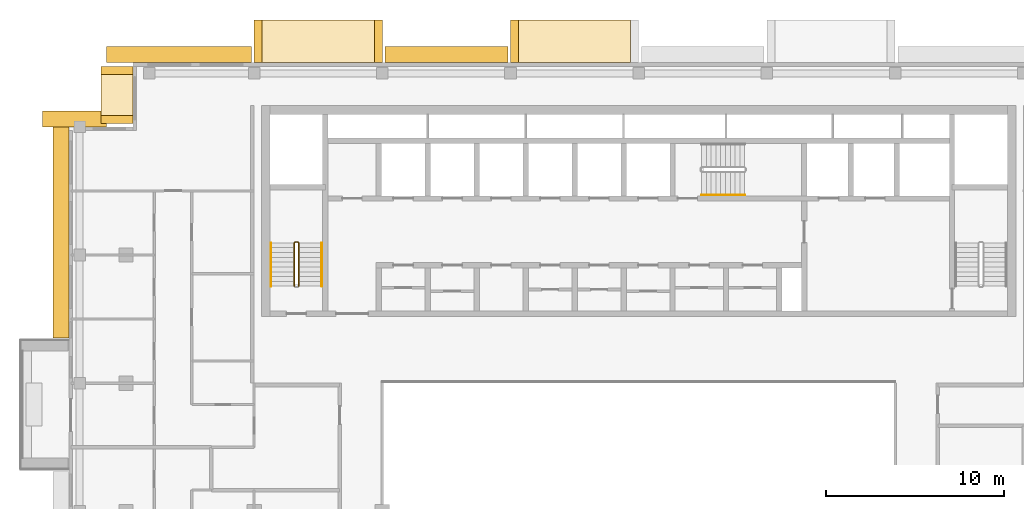
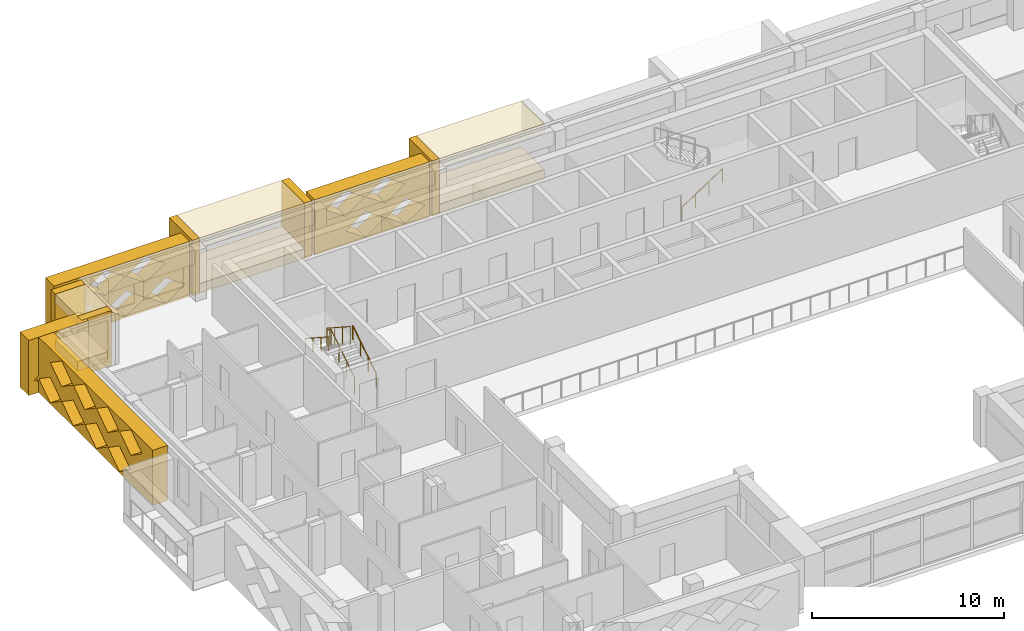
# One storey, part 17 of 19: 15 coverings, 4 railings.
"""IFC4 building model written with IfcOpenShell, lengths in metres."""

from ifc_helpers import new_model, si_unit, direction, frame, origin, origin_2d, place, context, subcontext, project, spatial, polyline, circle, outline, extrude, material, type_object, element, save


model = new_model("IFC4")

# Units and contexts
model_context = context("Model", 3, precision=1e-05, world=origin(), true_north=direction((0.0, 1.0)))
body_context = subcontext(model_context, "Body", "Model", "MODEL_VIEW")
ifc_project = project(units=[si_unit("LENGTHUNIT", "METRE"), si_unit("AREAUNIT", "SQUARE_METRE"), si_unit("VOLUMEUNIT", "CUBIC_METRE"), si_unit("PLANEANGLEUNIT", "RADIAN"), si_unit("MASSUNIT", "GRAM", prefix="KILO")], contexts=[model_context])

# Site, building, storey
site_placement = place(None, origin())
site = spatial("IfcSite", under=ifc_project, at=site_placement, CompositionType="ELEMENT")
building_placement = place(site_placement, origin())
building = spatial("IfcBuilding", under=site, at=building_placement, Name="Saffron Iwan Residences", CompositionType="ELEMENT")
storey_placement = place(building_placement, frame((0.0, 0.0, 232.5)))
storey = spatial("IfcBuildingStorey", under=building, at=storey_placement, Name="L62", CompositionType="ELEMENT", Elevation=232.5)

# Coverings
ifc_material_1 = material(Name="Precast concrete C40/50", Category="concrete")
covering_type_1 = type_object("IfcCoveringType", Name="OUTER SKIN LATTICE SCREEN", PredefinedType="CLADDING", material=ifc_material_1)
covering_1_placement = place(storey_placement, frame((43.050048828125, 80.39990234375, -0.280029296875), z_axis=(0.0, 1.0, 0.0), x_axis=(-1.0, 0.0, 0.0)))
element("IfcCovering", 1, at=covering_1_placement, inside=storey, type_object=covering_type_1, Name="OUTER SKIN lattice screen L62 F5.3", PredefinedType="CLADDING", context=body_context, shape_type="SweptSolid", body=[
    extrude(outline(polyline([(0.0, 0.0), (6.89990234375, 0.0), (6.89990234375, 3.5), (0.0, 3.5), (0.0, 0.0)]), holes=[polyline([(0.27001953125, 0.875), (1.449951171875, 0.06005859375), (2.6298828125, 0.875), (1.449951171875, 1.68994140625), (0.27001953125, 0.875)]), polyline([(2.669921875, 0.875), (3.85009765625, 0.06005859375), (5.030029296875, 0.875), (3.85009765625, 1.68994140625), (2.669921875, 0.875)]), polyline([(1.469970703125, 2.625), (2.64990234375, 1.81005859375), (3.830078125, 2.625), (2.64990234375, 3.43994140625), (1.469970703125, 2.625)]), polyline([(3.8701171875, 2.625), (5.050048828125, 1.81005859375), (6.22998046875, 2.625), (5.050048828125, 3.43994140625), (3.8701171875, 2.625)])]), origin(), (0.0, 0.0, 1.0), 0.900146484375),
])
covering_2_placement = place(storey_placement, frame((28.64990234375, 80.39990234375, -0.280029296875), z_axis=(0.0, 1.0, 0.0), x_axis=(-1.0, 0.0, 0.0)))
element("IfcCovering", 2, at=covering_2_placement, inside=storey, type_object=covering_type_1, Name="OUTER SKIN lattice screen L62 F5.4", PredefinedType="CLADDING", context=body_context, shape_type="SweptSolid", body=[
    extrude(outline(polyline([(0.0, 0.0), (8.14990234375, 0.0), (8.14990234375, 3.5), (0.0, 3.5), (0.0, 0.0)]), holes=[polyline([(0.27001953125, 0.875), (1.449951171875, 0.06005859375), (2.6298828125, 0.875), (1.449951171875, 1.68994140625), (0.27001953125, 0.875)]), polyline([(2.669921875, 0.875), (3.85009765625, 0.06005859375), (5.030029296875, 0.875), (3.85009765625, 1.68994140625), (2.669921875, 0.875)]), polyline([(5.070068359375, 0.875), (6.25, 0.06005859375), (7.429931640625, 0.875), (6.25, 1.68994140625), (5.070068359375, 0.875)]), polyline([(1.469970703125, 2.625), (2.64990234375, 1.81005859375), (3.830078125, 2.625), (2.64990234375, 3.43994140625), (1.469970703125, 2.625)]), polyline([(3.8701171875, 2.625), (5.050048828125, 1.81005859375), (6.22998046875, 2.625), (5.050048828125, 3.43994140625), (3.8701171875, 2.625)])]), origin(), (0.0, 0.0, 1.0), 0.900146484375),
])
covering_3_placement = place(storey_placement, frame((20.5, 76.800048828125, -0.280029296875), z_axis=(0.0, 1.0, 0.0), x_axis=(-1.0, 0.0, 0.0)))
element("IfcCovering", 3, at=covering_3_placement, inside=storey, type_object=covering_type_1, Name="OUTER SKIN lattice screen L62 F7.0", PredefinedType="CLADDING", context=body_context, shape_type="SweptSolid", body=[
    extrude(outline(polyline([(0.0, 0.0), (3.60009765625, 0.0), (3.60009765625, 3.5), (0.0, 3.5), (0.0, 0.0)]), holes=[polyline([(0.919921875, 0.875), (2.10009765625, 0.06005859375), (3.280029296875, 0.875), (2.10009765625, 1.68994140625), (0.919921875, 0.875)])]), origin(), (0.0, 0.0, 1.0), 0.89990234375),
])
covering_4_placement = place(storey_placement, frame((18.39990234375, 77.699951171875, -0.280029296875), z_axis=(-1.0, 0.0, 0.0), x_axis=(0.0, -1.0, 0.0)))
element("IfcCovering", 4, at=covering_4_placement, inside=storey, type_object=covering_type_1, Name="OUTER SKIN lattice screen L62 F8.0", PredefinedType="CLADDING", context=body_context, shape_type="SweptSolid", body=[
    extrude(outline(polyline([(0.0, 0.0), (12.75, 0.0), (12.75, 3.5), (0.0, 3.5), (0.0, 0.0)]), holes=[polyline([(0.919921875, 0.875), (2.10009765625, 0.06005859375), (3.280029296875, 0.875), (2.10009765625, 1.68994140625), (0.919921875, 0.875)]), polyline([(3.320068359375, 0.875), (4.5, 0.06005859375), (5.679931640625, 0.875), (4.5, 1.68994140625), (3.320068359375, 0.875)]), polyline([(5.719970703125, 0.875), (6.89990234375, 0.06005859375), (8.080078125, 0.875), (6.89990234375, 1.68994140625), (5.719970703125, 0.875)]), polyline([(8.1201171875, 0.875), (9.300048828125, 0.06005859375), (10.47998046875, 0.875), (9.300048828125, 1.68994140625), (8.1201171875, 0.875)]), polyline([(2.1201171875, 2.625), (3.300048828125, 1.81005859375), (4.47998046875, 2.625), (3.300048828125, 3.43994140625), (2.1201171875, 2.625)]), polyline([(4.52001953125, 2.625), (5.699951171875, 1.81005859375), (6.8798828125, 2.625), (5.699951171875, 3.43994140625), (4.52001953125, 2.625)]), polyline([(6.919921875, 2.625), (8.10009765625, 1.81005859375), (9.280029296875, 2.625), (8.10009765625, 3.43994140625), (6.919921875, 2.625)]), polyline([(9.320068359375, 2.625), (10.5, 1.81005859375), (11.679931640625, 2.625), (10.5, 3.43994140625), (9.320068359375, 2.625)])]), origin(), (0.0, 0.0, 1.0), 0.89990234375),
])

# Railings
ifc_material_2 = material(Name="Steel S355", Category="steel")
railing_type_1 = type_object("IfcRailingType", Name="Stair guard 1100", PredefinedType="GUARDRAIL", material=ifc_material_2)
railing_1_placement = place(storey_placement, frame((31.300048828125, 67.85009765625, 0.175048828125)))
element("IfcRailing", 5, at=railing_1_placement, inside=storey, type_object=railing_type_1, Name="L62 ST-W stair guard 1", PredefinedType="GUARDRAIL", context=body_context, shape_type="SweptSolid", body=[
    extrude(circle(Radius=0.02392578125, at=origin_2d()), frame((0.0, 0.0, 1.076171875), z_axis=(0.0, 0.839153699163, 0.543894354798), x_axis=(-1.0, 0.0, 0.0)), (0.0, 0.0, 1.0), 2.895751953125),
    extrude(circle(Radius=0.02392578125, at=origin_2d()), frame((0.0, 2.429931640625, 2.65087890625), z_axis=(-0.707106781187, 0.707106781187, 0.0), x_axis=(-0.707106781187, -0.707106781187, 0.0)), (0.0, 0.0, 1.0), 0.07080078125),
    extrude(circle(Radius=0.02392578125, at=origin_2d()), frame((-0.050048828125, 2.47998046875, 2.65087890625), z_axis=(-1.0, 0.0, 0.0), x_axis=(0.0, -1.0, 0.0)), (0.0, 0.0, 1.0), 0.14990234375),
    extrude(circle(Radius=0.02392578125, at=origin_2d()), frame((-0.199951171875, 2.47998046875, 2.65087890625), z_axis=(-0.265065253269, -0.265065253269, 0.927081885822), x_axis=(0.707106781187, -0.707106781187, 0.0)), (0.0, 0.0, 1.0), 0.188720703125),
    extrude(circle(Radius=0.02392578125, at=origin_2d()), frame((-0.25, 2.429931640625, 2.826171875), z_axis=(0.0, -0.839153699163, 0.543894354798), x_axis=(1.0, 0.0, 0.0)), (0.0, 0.0, 1.0), 2.895751953125),
    extrude(circle(Radius=0.02099609375, at=origin_2d()), origin(), (0.0, 0.0, 1.0), 1.052001953125),
    extrude(circle(Radius=0.02099609375, at=origin_2d()), frame((0.0, 0.81005859375, 0.52490234375)), (0.0, 0.0, 1.0), 1.052001953125),
    extrude(circle(Radius=0.02099609375, at=origin_2d()), frame((0.0, 1.619873046875, 1.050048828125)), (0.0, 0.0, 1.0), 1.052001953125),
    extrude(circle(Radius=0.02099609375, at=origin_2d()), frame((0.0, 2.429931640625, 1.574951171875)), (0.0, 0.0, 1.0), 1.052001953125),
    extrude(circle(Radius=0.02099609375, at=origin_2d()), frame((-0.050048828125, 2.47998046875, 1.574951171875)), (0.0, 0.0, 1.0), 1.052001953125),
    extrude(circle(Radius=0.02099609375, at=origin_2d()), frame((-0.199951171875, 2.47998046875, 1.574951171875)), (0.0, 0.0, 1.0), 1.052001953125),
    extrude(circle(Radius=0.02099609375, at=origin_2d()), frame((-0.25, 2.429931640625, 1.75)), (0.0, 0.0, 1.0), 1.052001953125),
    extrude(circle(Radius=0.02099609375, at=origin_2d()), frame((-0.25, 1.619873046875, 2.27490234375)), (0.0, 0.0, 1.0), 1.052001953125),
    extrude(circle(Radius=0.02099609375, at=origin_2d()), frame((-0.25, 0.81005859375, 2.800048828125)), (0.0, 0.0, 1.0), 1.052001953125),
    extrude(circle(Radius=0.02099609375, at=origin_2d()), frame((-0.25, 0.0, 3.324951171875)), (0.0, 0.0, 1.0), 1.052001953125),
])
ifc_material_3 = material(Name="Stainless steel 316", Category="steel")
railing_type_2 = type_object("IfcRailingType", Name="Stair handrail 900", PredefinedType="HANDRAIL", material=ifc_material_3)
railing_2_placement = place(storey_placement, frame((32.60009765625, 67.85009765625, 0.175048828125)))
element("IfcRailing", 6, at=railing_2_placement, inside=storey, type_object=railing_type_2, Name="L62 ST-W stair handrail 1", PredefinedType="HANDRAIL", context=body_context, shape_type="SweptSolid", body=[
    extrude(circle(Radius=0.02392578125, at=origin_2d()), frame((0.0, 0.0, 0.8759765625), z_axis=(0.0, 0.839153699163, 0.543894354798), x_axis=(-1.0, 0.0, 0.0)), (0.0, 0.0, 1.0), 2.895751953125),
    extrude(circle(Radius=0.02099609375, at=origin_2d()), origin(), (0.0, 0.0, 1.0), 0.851806640625),
    extrude(circle(Radius=0.02099609375, at=origin_2d()), frame((0.0, 0.81005859375, 0.52490234375)), (0.0, 0.0, 1.0), 0.851806640625),
    extrude(circle(Radius=0.02099609375, at=origin_2d()), frame((0.0, 1.619873046875, 1.050048828125)), (0.0, 0.0, 1.0), 0.851806640625),
    extrude(circle(Radius=0.02099609375, at=origin_2d()), frame((0.0, 2.429931640625, 1.574951171875)), (0.0, 0.0, 1.0), 0.851806640625),
])
railing_3_placement = place(storey_placement, frame((29.75, 70.280029296875, 1.925048828125)))
element("IfcRailing", 7, at=railing_3_placement, inside=storey, type_object=railing_type_2, Name="L62 ST-W stair handrail 2", PredefinedType="HANDRAIL", context=body_context, shape_type="SweptSolid", body=[
    extrude(circle(Radius=0.02392578125, at=origin_2d()), frame((0.0, 0.0, 0.8759765625), z_axis=(0.0, -0.839153699163, 0.543894354798), x_axis=(1.0, 0.0, 0.0)), (0.0, 0.0, 1.0), 2.895751953125),
    extrude(circle(Radius=0.02099609375, at=origin_2d()), origin(), (0.0, 0.0, 1.0), 0.851806640625),
    extrude(circle(Radius=0.02099609375, at=origin_2d()), frame((0.0, -0.81005859375, 0.52490234375)), (0.0, 0.0, 1.0), 0.851806640625),
    extrude(circle(Radius=0.02099609375, at=origin_2d()), frame((0.0, -1.619873046875, 1.050048828125)), (0.0, 0.0, 1.0), 0.851806640625),
    extrude(circle(Radius=0.02099609375, at=origin_2d()), frame((0.0, -2.429931640625, 1.574951171875)), (0.0, 0.0, 1.0), 0.851806640625),
])
railing_4_placement = place(storey_placement, frame((53.925048828125, 72.97509765625, 0.175048828125)))
element("IfcRailing", 8, at=railing_4_placement, inside=storey, type_object=railing_type_2, Name="L62 ST-C stair handrail 1", PredefinedType="HANDRAIL", context=body_context, shape_type="SweptSolid", body=[
    extrude(circle(Radius=0.02392578125, at=origin_2d()), frame((0.0, 0.0, 0.8759765625), z_axis=(0.839153699163, 0.0, 0.543894354798), x_axis=(0.0, 1.0, 0.0)), (0.0, 0.0, 1.0), 2.895751953125),
    extrude(circle(Radius=0.02099609375, at=origin_2d()), origin(), (0.0, 0.0, 1.0), 0.851806640625),
    extrude(circle(Radius=0.02099609375, at=origin_2d()), frame((0.81005859375, 0.0, 0.52490234375)), (0.0, 0.0, 1.0), 0.851806640625),
    extrude(circle(Radius=0.02099609375, at=origin_2d()), frame((1.619873046875, 0.0, 1.050048828125)), (0.0, 0.0, 1.0), 0.851806640625),
    extrude(circle(Radius=0.02099609375, at=origin_2d()), frame((2.429931640625, 0.0, 1.574951171875)), (0.0, 0.0, 1.0), 0.851806640625),
])

# Coverings
ifc_material_4 = material(Name="Precast concrete C40/50 white painted", Category="concrete")
covering_type_2 = type_object("IfcCoveringType", Name="WHITE SUN FRAME PRECAST", PredefinedType="CLADDING", material=ifc_material_4)
covering_5_placement = place(storey_placement, frame((43.64990234375, 80.39990234375, -0.280029296875), z_axis=(0.0, 1.0, 0.0), x_axis=(-1.0, 0.0, 0.0)))
element("IfcCovering", 9, at=covering_5_placement, inside=storey, type_object=covering_type_2, Name="Sun frame L62 F5 28.4b", PredefinedType="CLADDING", context=body_context, shape_type="SweptSolid", body=[
    extrude(outline(polyline([(0.0, 0.0), (0.449951171875, 0.0), (0.449951171875, 3.5), (0.0, 3.5), (0.0, 0.0)])), origin(), (0.0, 0.0, 1.0), 2.400146484375),
])
for number, where, z_axis, x_axis, name in (
    (10, (49.949951171875, 80.39990234375, 2.6201171875), (0.0, 1.0, 0.0), (-1.0, 0.0, 0.0), "Sun frame L62 F5 28.4h"),
    (11, (49.949951171875, 80.39990234375, -0.280029296875), (0.0, 1.0, 0.0), (-1.0, 0.0, 0.0), "Sun frame L62 F5 28.4s"),
):
    element("IfcCovering", number, at=place(storey_placement, frame(where, z_axis=z_axis, x_axis=x_axis)), inside=storey, type_object=covering_type_2, Name=name, PredefinedType="CLADDING", context=body_context, shape_type="SweptSolid", body=[
        extrude(outline(polyline([(0.0, 0.0), (6.300048828125, 0.0), (6.300048828125, 0.60009765625), (0.0, 0.60009765625), (0.0, 0.0)])), origin(), (0.0, 0.0, 1.0), 2.400146484375),
    ])
for number, where, z_axis, x_axis, name in (
    (12, (36.0, 80.39990234375, -0.280029296875), (0.0, 1.0, 0.0), (-1.0, 0.0, 0.0), "Sun frame L62 F5 42.8a"),
    (13, (29.25, 80.39990234375, -0.280029296875), (0.0, 1.0, 0.0), (-1.0, 0.0, 0.0), "Sun frame L62 F5 42.8b"),
):
    element("IfcCovering", number, at=place(storey_placement, frame(where, z_axis=z_axis, x_axis=x_axis)), inside=storey, type_object=covering_type_2, Name=name, PredefinedType="CLADDING", context=body_context, shape_type="SweptSolid", body=[
        extrude(outline(polyline([(0.0, 0.0), (0.449951171875, 0.0), (0.449951171875, 3.5), (0.0, 3.5), (0.0, 0.0)])), origin(), (0.0, 0.0, 1.0), 2.400146484375),
    ])
for number, where, z_axis, x_axis, name in (
    (14, (35.550048828125, 80.39990234375, 2.6201171875), (0.0, 1.0, 0.0), (-1.0, 0.0, 0.0), "Sun frame L62 F5 42.8h"),
    (15, (35.550048828125, 80.39990234375, -0.280029296875), (0.0, 1.0, 0.0), (-1.0, 0.0, 0.0), "Sun frame L62 F5 42.8s"),
):
    element("IfcCovering", number, at=place(storey_placement, frame(where, z_axis=z_axis, x_axis=x_axis)), inside=storey, type_object=covering_type_2, Name=name, PredefinedType="CLADDING", context=body_context, shape_type="SweptSolid", body=[
        extrude(outline(polyline([(0.0, 0.0), (6.300048828125, 0.0), (6.300048828125, 0.60009765625), (0.0, 0.60009765625), (0.0, 0.0)])), origin(), (0.0, 0.0, 1.0), 2.400146484375),
    ])
for number, where, z_axis, x_axis, name in (
    (16, (22.0, 80.199951171875, -0.280029296875), (-1.0, 0.0, 0.0), (0.0, -1.0, 0.0), "Sun frame L62 F6 0.2a"),
    (17, (22.0, 77.449951171875, -0.280029296875), (-1.0, 0.0, 0.0), (0.0, -1.0, 0.0), "Sun frame L62 F6 0.2b"),
):
    element("IfcCovering", number, at=place(storey_placement, frame(where, z_axis=z_axis, x_axis=x_axis)), inside=storey, type_object=covering_type_2, Name=name, PredefinedType="CLADDING", context=body_context, shape_type="SweptSolid", body=[
        extrude(outline(polyline([(0.0, 0.0), (0.449951171875, 0.0), (0.449951171875, 3.5), (0.0, 3.5), (0.0, 0.0)])), origin(), (0.0, 0.0, 1.0), 1.800048828125),
    ])
for number, where, z_axis, x_axis, name in (
    (18, (22.0, 79.75, 2.6201171875), (-1.0, 0.0, 0.0), (0.0, -1.0, 0.0), "Sun frame L62 F6 0.2h"),
    (19, (22.0, 79.75, -0.280029296875), (-1.0, 0.0, 0.0), (0.0, -1.0, 0.0), "Sun frame L62 F6 0.2s"),
):
    element("IfcCovering", number, at=place(storey_placement, frame(where, z_axis=z_axis, x_axis=x_axis)), inside=storey, type_object=covering_type_2, Name=name, PredefinedType="CLADDING", context=body_context, shape_type="SweptSolid", body=[
        extrude(outline(polyline([(0.0, 0.0), (2.300048828125, 0.0), (2.300048828125, 0.60009765625), (0.0, 0.60009765625), (0.0, 0.0)])), origin(), (0.0, 0.0, 1.0), 1.800048828125),
    ])

save(model, "model.ifc")
